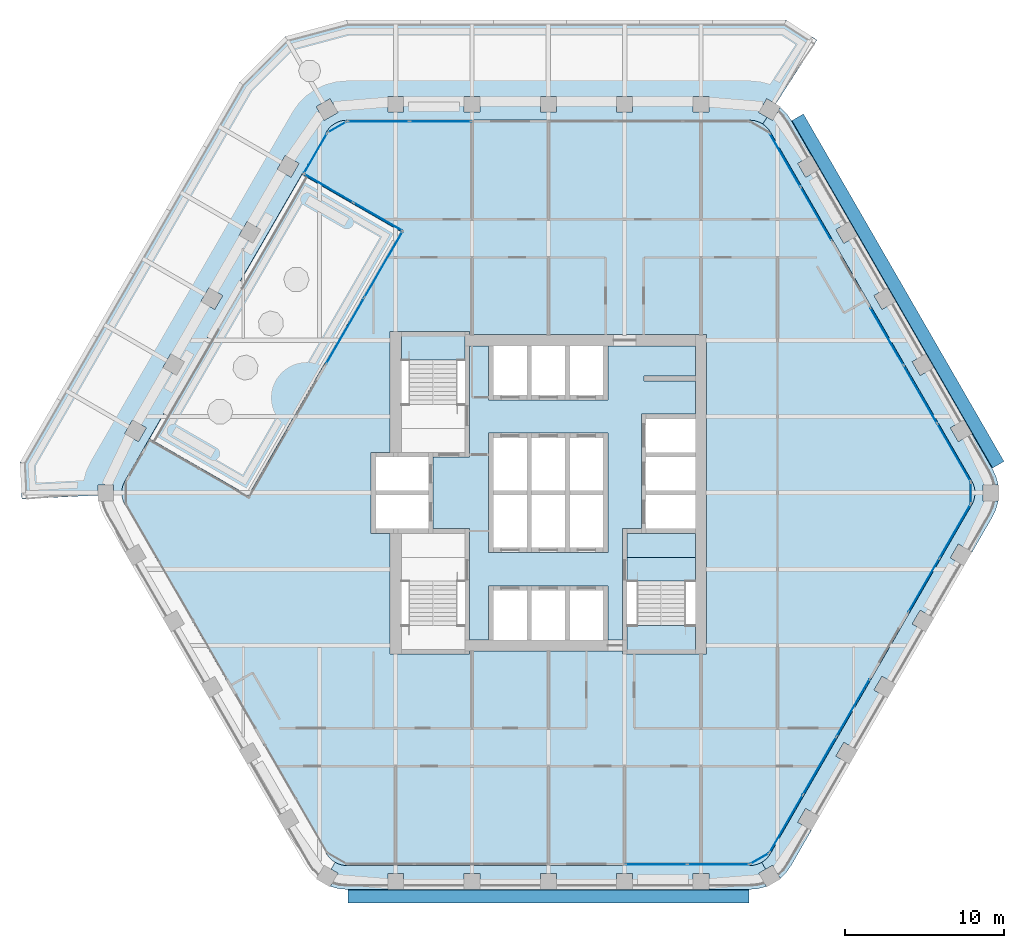
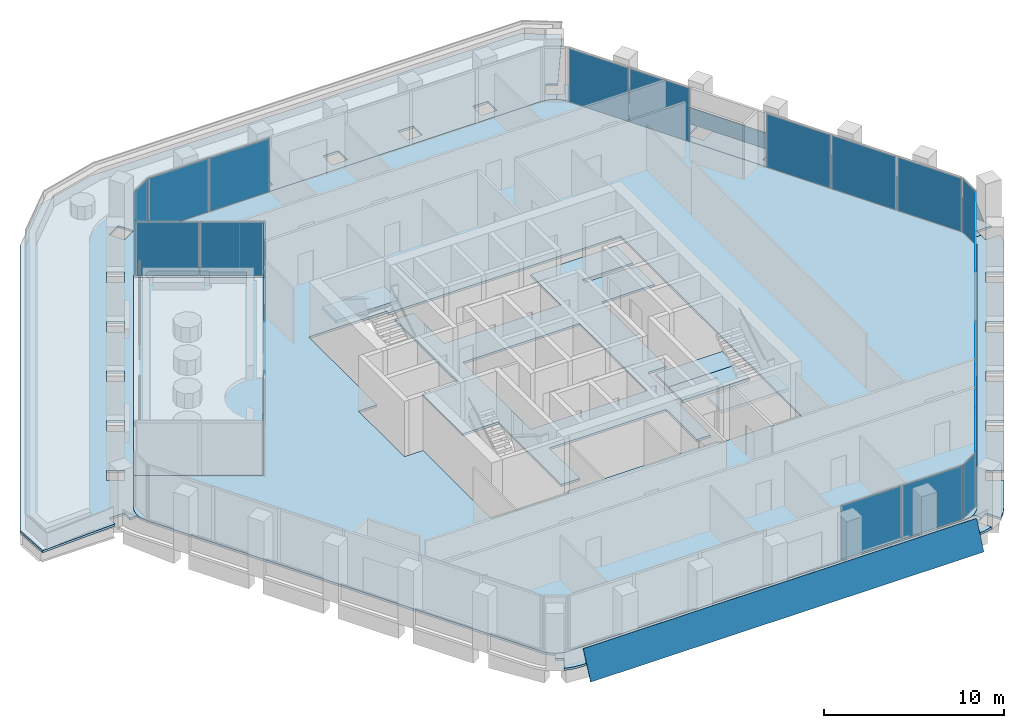
# One storey, part 10 of 18: 24 plates, 11 slabs, 14 elements without a shape of their own.
"""IFC4 building model written with IfcOpenShell, lengths in metres."""

from ifc_helpers import new_model, si_unit, direction, frame, origin, origin_2d, place, context, subcontext, project, spatial, polyline, rectangle, outline, extrude, material, layer, layer_set, type_object, element, aggregate, save


model = new_model("IFC4")

# Units and contexts
model_context = context("Model", 3, precision=1e-05, world=origin(), true_north=direction((0.0, 1.0)))
body_context = subcontext(model_context, "Body", "Model", "MODEL_VIEW")
ifc_project = project(units=[si_unit("LENGTHUNIT", "METRE"), si_unit("AREAUNIT", "SQUARE_METRE"), si_unit("VOLUMEUNIT", "CUBIC_METRE"), si_unit("PLANEANGLEUNIT", "RADIAN"), si_unit("MASSUNIT", "GRAM", prefix="KILO")], contexts=[model_context])

# Site, building, storey
site_placement = place(None, origin())
site = spatial("IfcSite", under=ifc_project, at=site_placement, CompositionType="ELEMENT")
building_placement = place(site_placement, origin())
building = spatial("IfcBuilding", under=site, at=building_placement, Name="Kolab Exchange Tower", CompositionType="ELEMENT")
storey_placement = place(building_placement, frame((0.0, 0.0, 150.5)))
storey = spatial("IfcBuildingStorey", under=building, at=storey_placement, Name="L30", CompositionType="ELEMENT", Elevation=150.5)

# Slabs
ifc_material_1 = material(Name="Concrete C35/45", Category="concrete")
ifc_layer_1 = layer(ifc_material_1, 0.14990234375)
ifc_layer_set_1 = layer_set([ifc_layer_1], Name="Concrete C35/45")
slab_type_1 = type_object("IfcSlabType", Name="FLOOR SLAB 150", PredefinedType="FLOOR", material=ifc_layer_set_1)
slab_1_placement = place(storey_placement, frame((0.0, 0.0, -0.14990234375)))
element("IfcSlab", 1, at=slab_1_placement, inside=storey, type_object=slab_type_1, Name="slab/L30/floor/0", PredefinedType="FLOOR", context=body_context, shape_type="SweptSolid", body=[
    extrude(outline(polyline([(-13.967041015625, 22.691650390625), (-15.5009765625, 20.03466796875), (-9.265625, 16.4345703125), (-18.865478515625, -0.193115234375), (-25.10107421875, 3.406982421875), (-26.635009765625, 0.75), (-26.745361328125, 0.512939453125), (-26.81298828125, 0.260498046875), (-26.8359375, 0.0), (-26.81298828125, -0.260498046875), (-26.745361328125, -0.512939453125), (-26.635009765625, -0.75), (-13.967041015625, -22.691650390625), (-13.81689453125, -22.90576171875), (-13.632080078125, -23.090576171875), (-13.41796875, -23.240478515625), (-13.180908203125, -23.35107421875), (-12.928466796875, -23.418701171875), (-12.66796875, -23.441650390625), (12.66796875, -23.441650390625), (12.928466796875, -23.418701171875), (13.180908203125, -23.35107421875), (13.41796875, -23.240478515625), (13.632080078125, -23.090576171875), (13.81689453125, -22.90576171875), (13.967041015625, -22.691650390625), (26.635009765625, -0.75), (26.745361328125, -0.512939453125), (26.81298828125, -0.260498046875), (26.8359375, 0.0), (26.81298828125, 0.260498046875), (26.745361328125, 0.512939453125), (26.635009765625, 0.75), (13.967041015625, 22.691650390625), (13.81689453125, 22.90576171875), (13.632080078125, 23.090576171875), (13.41796875, 23.240478515625), (13.180908203125, 23.35107421875), (12.928466796875, 23.418701171875), (12.66796875, 23.441650390625), (-12.66796875, 23.441650390625), (-12.928466796875, 23.418701171875), (-13.180908203125, 23.35107421875), (-13.41796875, 23.240478515625), (-13.632080078125, 23.090576171875), (-13.81689453125, 22.90576171875), (-13.967041015625, 22.691650390625)]), holes=[polyline([(-9.25, -10.14990234375), (-9.949951171875, -10.14990234375), (-9.949951171875, -2.550048828125), (-10.85009765625, -2.550048828125), (-11.14990234375, -2.550048828125), (-11.14990234375, 2.550048828125), (-10.85009765625, 2.550048828125), (-9.949951171875, 2.550048828125), (-9.949951171875, 10.14990234375), (-9.25, 10.14990234375), (-5.25, 10.14990234375), (-4.949951171875, 10.14990234375), (-4.949951171875, 9.949951171875), (9.25, 9.949951171875), (9.949951171875, 9.949951171875), (9.949951171875, -10.14990234375), (9.25, -10.14990234375), (4.949951171875, -10.14990234375), (4.64990234375, -10.14990234375), (4.64990234375, -9.949951171875), (-4.949951171875, -9.949951171875), (-4.949951171875, -10.14990234375), (-5.25, -10.14990234375), (-9.25, -10.14990234375)])]), origin(), (0.0, 0.0, 1.0), 0.14990234375),
])
slab_2_placement = place(storey_placement, frame((0.0, 0.0, -0.14990234375)))
element("IfcSlab", 2, at=slab_2_placement, inside=storey, type_object=slab_type_1, Name="slab/L30/floor/1", PredefinedType="FLOOR", context=body_context, shape_type="SweptSolid", body=[
    extrude(outline(polyline([(-4.949951171875, 9.25), (-4.949951171875, 2.25), (-5.25, 2.25), (-7.25, 2.25), (-7.25, -2.25), (-5.25, -2.25), (-4.949951171875, -2.25), (-4.949951171875, -9.25), (-3.75, -9.25), (-3.75, -5.85009765625), (-3.449951171875, -5.85009765625), (-1.35009765625, -5.85009765625), (-1.050048828125, -5.85009765625), (1.050048828125, -5.85009765625), (1.35009765625, -5.85009765625), (3.449951171875, -5.85009765625), (3.75, -5.85009765625), (3.75, -9.25), (4.64990234375, -9.25), (4.64990234375, -2.25), (4.949951171875, -2.25), (5.85009765625, -2.25), (5.85009765625, 4.949951171875), (6.14990234375, 4.949951171875), (9.25, 4.949951171875), (9.25, 7.050048828125), (6.0, 7.050048828125), (6.0, 7.35009765625), (9.25, 7.35009765625), (9.25, 9.25), (3.75, 9.25), (3.75, 5.85009765625), (3.449951171875, 5.85009765625), (1.35009765625, 5.85009765625), (1.050048828125, 5.85009765625), (-1.050048828125, 5.85009765625), (-1.35009765625, 5.85009765625), (-3.449951171875, 5.85009765625), (-3.75, 5.85009765625), (-3.75, 9.25), (-4.949951171875, 9.25)]), holes=[polyline([(-3.449951171875, -3.75), (-3.75, -3.75), (-3.75, 3.75), (-3.449951171875, 3.75), (-1.35009765625, 3.75), (-1.050048828125, 3.75), (1.050048828125, 3.75), (1.35009765625, 3.75), (3.449951171875, 3.75), (3.75, 3.75), (3.75, -3.75), (3.449951171875, -3.75), (1.35009765625, -3.75), (1.050048828125, -3.75), (-1.050048828125, -3.75), (-1.35009765625, -3.75), (-3.449951171875, -3.75)])]), origin(), (0.0, 0.0, 1.0), 0.14990234375),
])
slab_3_placement = place(storey_placement, frame((0.0, 0.0, -0.14990234375)))
element("IfcSlab", 3, at=slab_3_placement, inside=storey, type_object=slab_type_1, Name="slab/L30/floor/2", PredefinedType="FLOOR", context=body_context, shape_type="SweptSolid", body=[
    extrude(outline(polyline([(4.949951171875, -4.050048828125), (9.25, -4.050048828125), (9.25, -2.550048828125), (6.14990234375, -2.550048828125), (5.85009765625, -2.550048828125), (4.949951171875, -2.550048828125), (4.949951171875, -4.050048828125)])), origin(), (0.0, 0.0, 1.0), 0.14990234375),
])
ifc_layer_2 = layer(ifc_material_1, 0.14990234375)
ifc_layer_set_2 = layer_set([ifc_layer_2], Name="Concrete C35/45")
slab_type_2 = type_object("IfcSlabType", Name="LOGGIA SLAB 150", PredefinedType="FLOOR", material=ifc_layer_set_2)
slab_4_placement = place(storey_placement, frame((0.0, 0.0, -0.14990234375)))
element("IfcSlab", 4, at=slab_4_placement, inside=storey, type_object=slab_type_2, Name="slab/L30/loggia/1-0", PredefinedType="FLOOR", context=body_context, shape_type="SweptSolid", body=[
    extrude(outline(polyline([(26.81298828125, 0.260498046875), (26.8359375, 0.0), (27.3359375, 0.0), (27.3359375, 0.5), (28.292236328125, 0.5), (28.290283203125, 0.52099609375), (28.155029296875, 1.026123046875), (27.93408203125, 1.5), (26.64990234375, 3.723876953125), (25.783935546875, 3.223876953125), (25.283935546875, 4.08984375), (26.14990234375, 4.58984375), (24.25, 7.880859375), (23.384033203125, 7.380859375), (22.884033203125, 8.246826171875), (23.75, 8.746826171875), (21.85009765625, 12.037841796875), (20.98388671875, 11.537841796875), (20.48388671875, 12.40380859375), (21.35009765625, 12.90380859375), (19.449951171875, 16.194580078125), (18.583984375, 15.694580078125), (18.083984375, 16.560791015625), (18.949951171875, 17.060791015625), (17.050048828125, 20.3515625), (16.18408203125, 19.8515625), (15.68408203125, 20.717529296875), (16.550048828125, 21.217529296875), (15.26611328125, 23.441650390625), (14.966064453125, 23.869873046875), (14.59619140625, 24.23974609375), (14.5791015625, 24.251708984375), (14.10107421875, 23.423583984375), (13.75537109375, 23.623046875), (13.480224609375, 23.197021484375), (13.632080078125, 23.090576171875), (13.81689453125, 22.90576171875), (13.967041015625, 22.691650390625), (26.635009765625, 0.75), (26.745361328125, 0.512939453125), (26.81298828125, 0.260498046875)])), origin(), (0.0, 0.0, 1.0), 0.14990234375),
])
slab_5_placement = place(storey_placement, frame((0.0, 0.0, -0.14990234375)))
element("IfcSlab", 5, at=slab_5_placement, inside=storey, type_object=slab_type_2, Name="slab/L30/loggia/2-0", PredefinedType="FLOOR", context=body_context, shape_type="SweptSolid", body=[
    extrude(outline(polyline([(14.966064453125, -23.869873046875), (15.26611328125, -23.441650390625), (16.550048828125, -21.217529296875), (15.68408203125, -20.717529296875), (16.18408203125, -19.8515625), (17.050048828125, -20.3515625), (18.949951171875, -17.060791015625), (18.083984375, -16.560791015625), (18.583984375, -15.694580078125), (19.449951171875, -16.194580078125), (21.35009765625, -12.90380859375), (20.48388671875, -12.40380859375), (20.98388671875, -11.537841796875), (21.85009765625, -12.037841796875), (23.75, -8.746826171875), (22.884033203125, -8.246826171875), (23.384033203125, -7.380859375), (24.25, -7.880859375), (26.14990234375, -4.58984375), (25.283935546875, -4.08984375), (25.783935546875, -3.223876953125), (26.64990234375, -3.723876953125), (27.93408203125, -1.5), (28.155029296875, -1.026123046875), (28.290283203125, -0.52099609375), (28.292236328125, -0.5), (27.3359375, -0.5), (27.3359375, 0.0), (26.8359375, 0.0), (26.81298828125, -0.260498046875), (26.745361328125, -0.512939453125), (26.635009765625, -0.75), (13.967041015625, -22.691650390625), (13.81689453125, -22.90576171875), (13.632080078125, -23.090576171875), (13.41796875, -23.240478515625), (13.66796875, -23.673583984375), (14.10107421875, -23.423583984375), (14.5791015625, -24.251708984375), (14.59619140625, -24.23974609375), (14.966064453125, -23.869873046875)])), origin(), (0.0, 0.0, 1.0), 0.14990234375),
])
slab_6_placement = place(storey_placement, frame((0.0, 0.0, -0.14990234375)))
element("IfcSlab", 6, at=slab_6_placement, inside=storey, type_object=slab_type_2, Name="slab/L30/loggia/3-0", PredefinedType="FLOOR", context=body_context, shape_type="SweptSolid", body=[
    extrude(outline(polyline([(-13.180908203125, -23.35107421875), (-13.41796875, -23.240478515625), (-13.66796875, -23.673583984375), (-13.23486328125, -23.923583984375), (-13.713134765625, -24.751708984375), (-13.694091796875, -24.760498046875), (-13.18896484375, -24.89599609375), (-12.66796875, -24.941650390625), (-10.10009765625, -24.941650390625), (-10.10009765625, -23.941650390625), (-9.10009765625, -23.941650390625), (-9.10009765625, -24.941650390625), (-5.300048828125, -24.941650390625), (-5.300048828125, -23.941650390625), (-4.300048828125, -23.941650390625), (-4.300048828125, -24.941650390625), (-0.5, -24.941650390625), (-0.5, -23.941650390625), (0.5, -23.941650390625), (0.5, -24.941650390625), (4.300048828125, -24.941650390625), (4.300048828125, -23.941650390625), (5.300048828125, -23.941650390625), (5.300048828125, -24.941650390625), (9.10009765625, -24.941650390625), (9.10009765625, -23.941650390625), (10.10009765625, -23.941650390625), (10.10009765625, -24.941650390625), (12.66796875, -24.941650390625), (13.18896484375, -24.89599609375), (13.694091796875, -24.760498046875), (13.713134765625, -24.751708984375), (13.23486328125, -23.923583984375), (13.66796875, -23.673583984375), (13.41796875, -23.240478515625), (13.180908203125, -23.35107421875), (12.928466796875, -23.418701171875), (12.66796875, -23.441650390625), (-12.66796875, -23.441650390625), (-12.928466796875, -23.418701171875), (-13.180908203125, -23.35107421875)])), origin(), (0.0, 0.0, 1.0), 0.14990234375),
])

# Plates
ifc_material_2 = material(Name="Laminated glass, clear", Category="glass")
ifc_layer_3 = layer(ifc_material_2, 0.0400390625)
ifc_layer_set_3 = layer_set([ifc_layer_3], Name="Laminated glass, clear")
plate_type_1 = type_object("IfcPlateType", Name="OUTER SKIN LAMINATED GLASS SHEET 40", PredefinedType="SHEET", material=ifc_layer_set_3)
plate_1_placement = place(storey_placement, frame((16.040283203125, 23.830810546875, -0.68310546875), z_axis=(0.784898656704, 0.453161865271, 0.422585402693), x_axis=(0.499999968995, -0.866025421685, 9.26315e-07)))
element("IfcPlate", 7, at=plate_1_placement, inside=storey, type_object=plate_type_1, Name="Outer skin", PredefinedType="SHEET", context=body_context, shape_type="SweptSolid", body=[
    extrude(outline(polyline([(0.0, 0.0), (25.23592824607872, 0.0), (25.235843279343595, -1.9612922777250177), (0.00012646525258337368, -1.961343862676479), (0.0, 0.0)])), origin(), (0.0, 0.0, -1.0), 0.0400390625),
])
plate_2_placement = place(storey_placement, frame((12.617919921875, -25.806640625, -0.68310546875), z_axis=(0.0, -0.906316657655, 0.422599238118), x_axis=(-1.0, 0.0, 0.0)))
element("IfcPlate", 8, at=plate_2_placement, inside=storey, type_object=plate_type_1, Name="Outer skin", PredefinedType="SHEET", context=body_context, shape_type="SweptSolid", body=[
    extrude(outline(polyline([(0.0, 0.0), (25.23583984375, 0.0), (25.23583984375, -1.961332030711248), (0.0, -1.961332030711248), (0.0, 0.0)])), origin(), (0.0, 0.0, -1.0), 0.0400390625),
])

# Stair, slab
ifc_material_3 = material(Name="Concrete C50/60", Category="concrete")
stair_type_1 = type_object("IfcStairType", Name="STAIR ST1 RISER 177.3", PredefinedType="HALF_TURN_STAIR", material=ifc_material_3)
stair_1_placement = place(storey_placement, origin())
stair_1 = element("IfcStair", 9, at=stair_1_placement, inside=storey, type_object=stair_type_1, Name="Stair 1", PredefinedType="HALF_TURN_STAIR")
ifc_layer_4 = layer(ifc_material_3, 0.199951171875)
ifc_layer_set_4 = layer_set([ifc_layer_4], Name="Concrete C50/60")
slab_type_3 = type_object("IfcSlabType", Name="STAIR LANDING 200", PredefinedType="LANDING", material=ifc_layer_set_4)
slab_7_placement = place(storey_placement, frame((0.0, 0.0, 1.75)))
slab_7 = element("IfcSlab", 10, at=slab_7_placement, type_object=slab_type_3, Name="ST1 landing 2", PredefinedType="LANDING", context=body_context, shape_type="SweptSolid", body=[
    extrude(outline(polyline([(-9.25, 8.35009765625), (-5.25, 8.35009765625), (-5.25, 9.909912109375), (-9.25, 9.909912109375), (-9.25, 8.35009765625)])), origin(), (0.0, 0.0, 1.0), 0.199951171875),
])
aggregate(stair_1, [slab_7])

# Stair, slabs
stair_type_2 = type_object("IfcStairType", Name="STAIR ST2 RISER 177.3", PredefinedType="HALF_TURN_STAIR", material=ifc_material_3)
stair_2_placement = place(storey_placement, origin())
stair_2 = element("IfcStair", 11, at=stair_2_placement, inside=storey, type_object=stair_type_2, Name="Stair 2", PredefinedType="HALF_TURN_STAIR")
slab_8_placement = place(storey_placement, frame((0.0, 0.0, -0.199951171875)))
slab_8 = element("IfcSlab", 12, at=slab_8_placement, type_object=slab_type_3, Name="ST2 landing 1", PredefinedType="LANDING", context=body_context, shape_type="SweptSolid", body=[
    extrude(outline(polyline([(4.949951171875, -5.550048828125), (9.25, -5.550048828125), (9.25, -4.050048828125), (4.949951171875, -4.050048828125), (4.949951171875, -5.550048828125)])), origin(), (0.0, 0.0, 1.0), 0.199951171875),
])
slab_9_placement = place(storey_placement, frame((0.0, 0.0, 1.75)))
slab_9 = element("IfcSlab", 13, at=slab_9_placement, type_object=slab_type_3, Name="ST2 landing 2", PredefinedType="LANDING", context=body_context, shape_type="SweptSolid", body=[
    extrude(outline(polyline([(4.949951171875, -9.909912109375), (9.25, -9.909912109375), (9.25, -8.35009765625), (4.949951171875, -8.35009765625), (4.949951171875, -9.909912109375)])), origin(), (0.0, 0.0, 1.0), 0.199951171875),
])
aggregate(stair_2, [slab_8, slab_9])

# Slabs
ifc_layer_5 = layer(ifc_material_1, 0.14990234375)
ifc_layer_set_5 = layer_set([ifc_layer_5], Name="Concrete C35/45")
slab_type_4 = type_object("IfcSlabType", Name="TERRACE SLAB 150 PLANTED", PredefinedType="ROOF", material=ifc_layer_set_5)
slab_10_placement = place(storey_placement, frame((0.0, 0.0, -0.14990234375)))
element("IfcSlab", 14, at=slab_10_placement, inside=storey, type_object=slab_type_4, Name="Roof terrace", PredefinedType="ROOF", context=body_context, shape_type="SweptSolid", body=[
    extrude(outline(polyline([(-25.10107421875, 3.406982421875), (-18.865478515625, -0.193115234375), (-9.265625, 16.4345703125), (-15.5009765625, 20.03466796875), (-25.10107421875, 3.406982421875)])), origin(), (0.0, 0.0, 1.0), 0.14990234375),
])
slab_11_placement = place(storey_placement, frame((0.0, 0.0, -0.14990234375)))
element("IfcSlab", 15, at=slab_11_placement, inside=storey, type_object=slab_type_4, Name="Roof terrace", PredefinedType="ROOF", context=body_context, shape_type="SweptSolid", body=[
    extrude(outline(polyline([(-33.232421875, 1.9228515625), (-33.232421875, 1.922607421875), (-33.11669921875, -0.38916015625), (-33.11669921875, -0.389404296875), (-28.3359375, -0.150146484375), (-28.3359375, 0.5), (-27.3359375, 0.5), (-27.3359375, -0.10009765625), (-26.829345703125, -0.07470703125), (-26.8359375, -0.000244140625), (-26.8359375, 0.0), (-26.8359375, 0.000244140625), (-26.813232421875, 0.26025390625), (-26.81298828125, 0.260498046875), (-26.81298828125, 0.2607421875), (-26.745361328125, 0.512939453125), (-26.745361328125, 0.51318359375), (-26.635009765625, 0.75), (-13.967041015625, 22.69140625), (-13.967041015625, 22.691650390625), (-13.817138671875, 22.905517578125), (-13.81689453125, 22.90576171875), (-13.63232421875, 23.090576171875), (-13.632080078125, 23.090576171875), (-13.632080078125, 23.0908203125), (-13.418212890625, 23.240478515625), (-13.41796875, 23.240478515625), (-13.417724609375, 23.24072265625), (-13.18115234375, 23.35107421875), (-13.180908203125, 23.35107421875), (-12.9287109375, 23.418701171875), (-12.928466796875, 23.418701171875), (-12.92822265625, 23.418701171875), (-12.66796875, 23.44140625), (-12.66796875, 23.441650390625), (12.66796875, 23.441650390625), (12.66796875, 23.44140625), (12.92822265625, 23.418701171875), (12.928466796875, 23.418701171875), (12.9287109375, 23.418701171875), (13.180908203125, 23.35107421875), (13.18115234375, 23.35107421875), (13.417724609375, 23.24072265625), (13.41796875, 23.240478515625), (13.418212890625, 23.240478515625), (13.479248046875, 23.197509765625), (13.4794921875, 23.197509765625), (13.754638671875, 23.62353515625), (13.23486328125, 23.923583984375), (13.73486328125, 24.78955078125), (14.2978515625, 24.464599609375), (16.8955078125, 28.4853515625), (14.951171875, 29.741455078125), (-12.66796875, 29.741455078125), (-16.56787109375, 28.696533203125), (-19.4228515625, 25.841552734375), (-33.232421875, 1.9228515625)]), holes=[polyline([(-25.783935546875, 3.223876953125), (-26.64990234375, 3.723876953125), (-26.14990234375, 4.58984375), (-25.283935546875, 4.08984375), (-25.783935546875, 3.223876953125)]), polyline([(-24.25, 7.880859375), (-23.75, 8.746826171875), (-22.884033203125, 8.246826171875), (-23.384033203125, 7.380859375), (-24.25, 7.880859375)]), polyline([(-21.85009765625, 12.037841796875), (-21.35009765625, 12.90380859375), (-20.48388671875, 12.40380859375), (-20.98388671875, 11.537841796875), (-21.85009765625, 12.037841796875)]), polyline([(-19.449951171875, 16.194580078125), (-18.949951171875, 17.060791015625), (-18.083984375, 16.560791015625), (-18.583984375, 15.694580078125), (-19.449951171875, 16.194580078125)]), polyline([(-17.050048828125, 20.3515625), (-16.550048828125, 21.217529296875), (-15.68408203125, 20.717529296875), (-16.18408203125, 19.8515625), (-17.050048828125, 20.3515625)]), polyline([(-14.60107421875, 24.28955078125), (-13.73486328125, 24.78955078125), (-13.23486328125, 23.923583984375), (-14.10107421875, 23.423583984375), (-14.60107421875, 24.28955078125)]), polyline([(-10.10009765625, 23.941650390625), (-10.10009765625, 24.941650390625), (-9.10009765625, 24.941650390625), (-9.10009765625, 23.941650390625), (-10.10009765625, 23.941650390625)]), polyline([(-5.300048828125, 23.941650390625), (-5.300048828125, 24.941650390625), (-4.300048828125, 24.941650390625), (-4.300048828125, 23.941650390625), (-5.300048828125, 23.941650390625)]), polyline([(-0.5, 24.941650390625), (0.5, 24.941650390625), (0.5, 23.941650390625), (-0.5, 23.941650390625), (-0.5, 24.941650390625)]), polyline([(4.300048828125, 23.941650390625), (4.300048828125, 24.941650390625), (5.300048828125, 24.941650390625), (5.300048828125, 23.941650390625), (4.300048828125, 23.941650390625)]), polyline([(9.10009765625, 24.941650390625), (10.10009765625, 24.941650390625), (10.10009765625, 23.941650390625), (9.10009765625, 23.941650390625), (9.10009765625, 24.941650390625)])]), origin(), (0.0, 0.0, 1.0), 0.14990234375),
])

# Curtain wall, plates
ifc_material_4 = material(Name="Aluminium EN AW-6063 T6", Category="aluminium")
curtain_wall_type = type_object("IfcCurtainWallType", Name="UNITISED UPPER MID ZONE CURTAIN WALL", PredefinedType="NOTDEFINED", material=ifc_material_4)
curtain_wall_1_placement = place(storey_placement, origin())
curtain_wall_1 = element("IfcCurtainWall", 16, at=curtain_wall_1_placement, inside=storey, type_object=curtain_wall_type, Name="cw/L30/F1-1", PredefinedType="NOTDEFINED")
ifc_material_5 = material(Name="Clear insulated glazing unit", Category="glass")
ifc_layer_6 = layer(ifc_material_5, 0.028076171875)
ifc_layer_set_6 = layer_set([ifc_layer_6], Name="Clear insulated glazing unit")
plate_type_2 = type_object("IfcPlateType", Name="UNITISED UPPER MID ZONE GLASS PANEL 28", PredefinedType="CURTAIN_PANEL", material=ifc_layer_set_6)
plate_3_placement = place(storey_placement, frame((-10.68603515625, 23.361572265625, 0.06005859375), z_axis=(0.0, 0.0, 1.0), x_axis=(1.0, 0.0, 0.0)))
plate_3 = element("IfcPlate", 17, at=plate_3_placement, type_object=plate_type_2, Name="CW3 panel 1.1", PredefinedType="CURTAIN_PANEL", context=body_context, shape_type="SweptSolid", body=[
    extrude(rectangle(XDim=3.843994140625, YDim=0.028076171875, at=origin_2d()), origin(), (0.0, 0.0, 1.0), 3.6298828125),
])
plate_4_placement = place(storey_placement, frame((-6.781982421875, 23.361572265625, 0.06005859375), z_axis=(0.0, 0.0, 1.0), x_axis=(1.0, 0.0, 0.0)))
plate_4 = element("IfcPlate", 18, at=plate_4_placement, type_object=plate_type_2, Name="CW3 panel 2.1", PredefinedType="CURTAIN_PANEL", context=body_context, shape_type="SweptSolid", body=[
    extrude(rectangle(XDim=3.843994140625, YDim=0.028076171875, at=origin_2d()), origin(), (0.0, 0.0, 1.0), 3.6298828125),
])
aggregate(curtain_wall_1, [plate_3, plate_4])

curtain_wall_2_placement = place(storey_placement, origin())
curtain_wall_2 = element("IfcCurtainWall", 19, at=curtain_wall_2_placement, inside=storey, type_object=curtain_wall_type, Name="cw/L30/F2-1", PredefinedType="NOTDEFINED")
plate_5_placement = place(storey_placement, frame((14.888671875, 20.93505859375, 0.06005859375), z_axis=(0.0, 0.0, 1.0), x_axis=(0.500000031681, -0.866025385493, 0.0)))
plate_5 = element("IfcPlate", 20, at=plate_5_placement, type_object=plate_type_2, Name="CW3 panel 1.1", PredefinedType="CURTAIN_PANEL", context=body_context, shape_type="SweptSolid", body=[
    extrude(rectangle(XDim=3.843994140625, YDim=0.028076171875, at=origin_2d()), origin(), (0.0, 0.0, 1.0), 3.6298828125),
])
plate_6_placement = place(storey_placement, frame((16.840576171875, 17.55419921875, 0.06005859375), z_axis=(0.0, 0.0, 1.0), x_axis=(0.500000031681, -0.866025385493, 0.0)))
plate_6 = element("IfcPlate", 21, at=plate_6_placement, type_object=plate_type_2, Name="CW3 panel 2.1", PredefinedType="CURTAIN_PANEL", context=body_context, shape_type="SweptSolid", body=[
    extrude(rectangle(XDim=3.843994140625, YDim=0.028076171875, at=origin_2d()), origin(), (0.0, 0.0, 1.0), 3.6298828125),
])
aggregate(curtain_wall_2, [plate_5, plate_6])

curtain_wall_3_placement = place(storey_placement, origin())
curtain_wall_3 = element("IfcCurtainWall", 22, at=curtain_wall_3_placement, inside=storey, type_object=curtain_wall_type, Name="cw/L30/F2-2", PredefinedType="NOTDEFINED")
plate_7_placement = place(storey_placement, frame((21.294921875, 9.83935546875, 0.06005859375), z_axis=(0.0, 0.0, 1.0), x_axis=(0.499999958358, -0.866025427826, 0.0)))
plate_7 = element("IfcPlate", 23, at=plate_7_placement, type_object=plate_type_2, Name="CW3 panel 1.1", PredefinedType="CURTAIN_PANEL", context=body_context, shape_type="SweptSolid", body=[
    extrude(rectangle(XDim=4.132568359375, YDim=0.028076171875, at=origin_2d()), origin(), (0.0, 0.0, 1.0), 3.6298828125),
])
plate_8_placement = place(storey_placement, frame((23.398681640625, 6.1953125, 0.06005859375), z_axis=(0.0, 0.0, 1.0), x_axis=(0.499999958358, -0.866025427826, 0.0)))
plate_8 = element("IfcPlate", 24, at=plate_8_placement, type_object=plate_type_2, Name="CW3 panel 2.1", PredefinedType="CURTAIN_PANEL", context=body_context, shape_type="SweptSolid", body=[
    extrude(rectangle(XDim=4.16259765625, YDim=0.028076171875, at=origin_2d()), origin(), (0.0, 0.0, 1.0), 3.6298828125),
])
plate_9_placement = place(storey_placement, frame((25.50244140625, 2.551513671875, 0.06005859375), z_axis=(0.0, 0.0, 1.0), x_axis=(0.499999958358, -0.866025427826, 0.0)))
plate_9 = element("IfcPlate", 25, at=plate_9_placement, type_object=plate_type_2, Name="CW3 panel 3.1", PredefinedType="CURTAIN_PANEL", context=body_context, shape_type="SweptSolid", body=[
    extrude(rectangle(XDim=4.132568359375, YDim=0.028076171875, at=origin_2d()), origin(), (0.0, 0.0, 1.0), 3.6298828125),
])
aggregate(curtain_wall_3, [plate_7, plate_8, plate_9])

curtain_wall_4_placement = place(storey_placement, origin())
curtain_wall_4 = element("IfcCurtainWall", 26, at=curtain_wall_4_placement, inside=storey, type_object=curtain_wall_type, Name="cw/L30/F3-1", PredefinedType="NOTDEFINED")
plate_10_placement = place(storey_placement, frame((25.57470703125, -2.426513671875, 0.06005859375), z_axis=(0.0, 0.0, 1.0), x_axis=(-0.499999936366, -0.866025440524, 0.0)))
plate_10 = element("IfcPlate", 27, at=plate_10_placement, type_object=plate_type_2, Name="CW3 panel 1.1", PredefinedType="CURTAIN_PANEL", context=body_context, shape_type="SweptSolid", body=[
    extrude(rectangle(XDim=3.843994140625, YDim=0.028076171875, at=origin_2d()), origin(), (0.0, 0.0, 1.0), 3.6298828125),
])
plate_11_placement = place(storey_placement, frame((23.62255859375, -5.807373046875, 0.06005859375), z_axis=(0.0, 0.0, 1.0), x_axis=(-0.499999936366, -0.866025440524, 0.0)))
plate_11 = element("IfcPlate", 28, at=plate_11_placement, type_object=plate_type_2, Name="CW3 panel 2.1", PredefinedType="CURTAIN_PANEL", context=body_context, shape_type="SweptSolid", body=[
    extrude(rectangle(XDim=3.843994140625, YDim=0.028076171875, at=origin_2d()), origin(), (0.0, 0.0, 1.0), 3.6298828125),
])
aggregate(curtain_wall_4, [plate_10, plate_11])

curtain_wall_5_placement = place(storey_placement, origin())
curtain_wall_5 = element("IfcCurtainWall", 29, at=curtain_wall_5_placement, inside=storey, type_object=curtain_wall_type, Name="cw/L30/F3-2", PredefinedType="NOTDEFINED")
plate_12_placement = place(storey_placement, frame((19.16845703125, -13.522216796875, 0.06005859375), z_axis=(0.0, 0.0, 1.0), x_axis=(-0.500000017564, -0.866025393644, 0.0)))
plate_12 = element("IfcPlate", 30, at=plate_12_placement, type_object=plate_type_2, Name="CW3 panel 1.1", PredefinedType="CURTAIN_PANEL", context=body_context, shape_type="SweptSolid", body=[
    extrude(rectangle(XDim=4.132568359375, YDim=0.028076171875, at=origin_2d()), origin(), (0.0, 0.0, 1.0), 3.6298828125),
])
plate_13_placement = place(storey_placement, frame((17.064697265625, -17.166259765625, 0.06005859375), z_axis=(0.0, 0.0, 1.0), x_axis=(-0.500000017564, -0.866025393644, 0.0)))
plate_13 = element("IfcPlate", 31, at=plate_13_placement, type_object=plate_type_2, Name="CW3 panel 2.1", PredefinedType="CURTAIN_PANEL", context=body_context, shape_type="SweptSolid", body=[
    extrude(rectangle(XDim=4.16259765625, YDim=0.028076171875, at=origin_2d()), origin(), (0.0, 0.0, 1.0), 3.6298828125),
])
plate_14_placement = place(storey_placement, frame((14.9609375, -20.81005859375, 0.06005859375), z_axis=(0.0, 0.0, 1.0), x_axis=(-0.500000017564, -0.866025393644, 0.0)))
plate_14 = element("IfcPlate", 32, at=plate_14_placement, type_object=plate_type_2, Name="CW3 panel 3.1", PredefinedType="CURTAIN_PANEL", context=body_context, shape_type="SweptSolid", body=[
    extrude(rectangle(XDim=4.132568359375, YDim=0.028076171875, at=origin_2d()), origin(), (0.0, 0.0, 1.0), 3.6298828125),
])
aggregate(curtain_wall_5, [plate_12, plate_13, plate_14])

curtain_wall_6_placement = place(storey_placement, origin())
curtain_wall_6 = element("IfcCurtainWall", 33, at=curtain_wall_6_placement, inside=storey, type_object=curtain_wall_type, Name="cw/L30/F4-1", PredefinedType="NOTDEFINED")
plate_15_placement = place(storey_placement, frame((10.68603515625, -23.361572265625, 0.06005859375), z_axis=(0.0, 0.0, 1.0), x_axis=(-1.0, 0.0, 0.0)))
plate_15 = element("IfcPlate", 34, at=plate_15_placement, type_object=plate_type_2, Name="CW3 panel 1.1", PredefinedType="CURTAIN_PANEL", context=body_context, shape_type="SweptSolid", body=[
    extrude(rectangle(XDim=3.843994140625, YDim=0.028076171875, at=origin_2d()), origin(), (0.0, 0.0, 1.0), 3.6298828125),
])
plate_16_placement = place(storey_placement, frame((6.781982421875, -23.361572265625, 0.06005859375), z_axis=(0.0, 0.0, 1.0), x_axis=(-1.0, 0.0, 0.0)))
plate_16 = element("IfcPlate", 35, at=plate_16_placement, type_object=plate_type_2, Name="CW3 panel 2.1", PredefinedType="CURTAIN_PANEL", context=body_context, shape_type="SweptSolid", body=[
    extrude(rectangle(XDim=3.843994140625, YDim=0.028076171875, at=origin_2d()), origin(), (0.0, 0.0, 1.0), 3.6298828125),
])
aggregate(curtain_wall_6, [plate_15, plate_16])

curtain_wall_7_placement = place(storey_placement, origin())
curtain_wall_7 = element("IfcCurtainWall", 36, at=curtain_wall_7_placement, inside=storey, type_object=curtain_wall_type, Name="cw/L30/F6-back-2", PredefinedType="NOTDEFINED")
plate_17_placement = place(storey_placement, frame((-12.77880859375, 10.189453125, 0.06005859375), z_axis=(0.0, 0.0, 1.0), x_axis=(0.499999995919, 0.866025406141, 0.0)))
plate_17 = element("IfcPlate", 37, at=plate_17_placement, type_object=plate_type_2, Name="CW3 panel 1.1", PredefinedType="CURTAIN_PANEL", context=body_context, shape_type="SweptSolid", body=[
    extrude(rectangle(XDim=4.75, YDim=0.028076171875, at=origin_2d()), origin(), (0.0, 0.0, 1.0), 3.6298828125),
])
plate_18_placement = place(storey_placement, frame((-10.373779296875, 14.355224609375, 0.06005859375), z_axis=(0.0, 0.0, 1.0), x_axis=(0.499999995919, 0.866025406141, 0.0)))
plate_18 = element("IfcPlate", 38, at=plate_18_placement, type_object=plate_type_2, Name="CW3 panel 2.1", PredefinedType="CURTAIN_PANEL", context=body_context, shape_type="SweptSolid", body=[
    extrude(rectangle(XDim=4.75, YDim=0.028076171875, at=origin_2d()), origin(), (0.0, 0.0, 1.0), 3.6298828125),
])
aggregate(curtain_wall_7, [plate_17, plate_18])

curtain_wall_8_placement = place(storey_placement, origin())
curtain_wall_8 = element("IfcCurtainWall", 39, at=curtain_wall_8_placement, inside=storey, type_object=curtain_wall_type, Name="cw/L30/F6-rr-1", PredefinedType="NOTDEFINED")
plate_19_placement = place(storey_placement, frame((-10.72802734375, 17.371337890625, 0.06005859375), z_axis=(0.0, 0.0, 1.0), x_axis=(-0.866025407005, 0.499999994423, 0.0)))
plate_19 = element("IfcPlate", 40, at=plate_19_placement, type_object=plate_type_2, Name="CW3 panel 1.1", PredefinedType="CURTAIN_PANEL", context=body_context, shape_type="SweptSolid", body=[
    extrude(rectangle(XDim=3.510009765625, YDim=0.028076171875, at=origin_2d()), origin(), (0.0, 0.0, 1.0), 3.6298828125),
])
plate_20_placement = place(storey_placement, frame((-13.81982421875, 19.156494140625, 0.06005859375), z_axis=(0.0, 0.0, 1.0), x_axis=(-0.866025407005, 0.499999994423, 0.0)))
plate_20 = element("IfcPlate", 41, at=plate_20_placement, type_object=plate_type_2, Name="CW3 panel 2.1", PredefinedType="CURTAIN_PANEL", context=body_context, shape_type="SweptSolid", body=[
    extrude(rectangle(XDim=3.510009765625, YDim=0.028076171875, at=origin_2d()), origin(), (0.0, 0.0, 1.0), 3.6298828125),
])
aggregate(curtain_wall_8, [plate_19, plate_20])

# Curtain wall, plate
curtain_wall_9_placement = place(storey_placement, origin())
curtain_wall_9 = element("IfcCurtainWall", 42, at=curtain_wall_9_placement, inside=storey, type_object=curtain_wall_type, Name="cw/L30/F6-r-1", PredefinedType="NOTDEFINED")
plate_21_placement = place(storey_placement, frame((-14.644775390625, 21.357666015625, 0.06005859375), z_axis=(0.0, 0.0, 1.0), x_axis=(0.500000087712, 0.866025353144, 0.0)))
plate_21 = element("IfcPlate", 43, at=plate_21_placement, type_object=plate_type_2, Name="CW3 panel 1.1", PredefinedType="CURTAIN_PANEL", context=body_context, shape_type="SweptSolid", body=[
    extrude(rectangle(XDim=2.867919921875, YDim=0.028076171875, at=origin_2d()), origin(), (0.0, 0.0, 1.0), 3.6298828125),
])
aggregate(curtain_wall_9, [plate_21])

curtain_wall_10_placement = place(storey_placement, origin())
curtain_wall_10 = element("IfcCurtainWall", 44, at=curtain_wall_10_placement, inside=storey, type_object=curtain_wall_type, Name="cw/L30/F2F3-corner", PredefinedType="NOTDEFINED")
plate_22_placement = place(storey_placement, frame((26.565673828125, 0.0, 0.06005859375), z_axis=(0.0, 0.0, 1.0), x_axis=(0.0, -1.0, 0.0)))
plate_22 = element("IfcPlate", 45, at=plate_22_placement, type_object=plate_type_2, Name="CW3 panel 1.1", PredefinedType="CURTAIN_PANEL", context=body_context, shape_type="SweptSolid", body=[
    extrude(rectangle(XDim=1.300048828125, YDim=0.028076171875, at=origin_2d()), origin(), (0.0, 0.0, 1.0), 3.6298828125),
])
aggregate(curtain_wall_10, [plate_22])

curtain_wall_11_placement = place(storey_placement, origin())
curtain_wall_11 = element("IfcCurtainWall", 46, at=curtain_wall_11_placement, inside=storey, type_object=curtain_wall_type, Name="cw/L30/F3F4-corner", PredefinedType="NOTDEFINED")
plate_23_placement = place(storey_placement, frame((13.28271484375, -23.006591796875, 0.06005859375), z_axis=(0.0, 0.0, 1.0), x_axis=(-0.866025390869, -0.50000002237, 0.0)))
plate_23 = element("IfcPlate", 47, at=plate_23_placement, type_object=plate_type_2, Name="CW3 panel 1.1", PredefinedType="CURTAIN_PANEL", context=body_context, shape_type="SweptSolid", body=[
    extrude(rectangle(XDim=1.300048828125, YDim=0.028076171875, at=origin_2d()), origin(), (0.0, 0.0, 1.0), 3.6298828125),
])
aggregate(curtain_wall_11, [plate_23])

curtain_wall_12_placement = place(storey_placement, origin())
curtain_wall_12 = element("IfcCurtainWall", 48, at=curtain_wall_12_placement, inside=storey, type_object=curtain_wall_type, Name="cw/L30/F6F1-corner", PredefinedType="NOTDEFINED")
plate_24_placement = place(storey_placement, frame((-13.28271484375, 23.006591796875, 0.06005859375), z_axis=(0.0, 0.0, 1.0), x_axis=(0.866025390869, 0.50000002237, 0.0)))
plate_24 = element("IfcPlate", 49, at=plate_24_placement, type_object=plate_type_2, Name="CW3 panel 1.1", PredefinedType="CURTAIN_PANEL", context=body_context, shape_type="SweptSolid", body=[
    extrude(rectangle(XDim=1.300048828125, YDim=0.028076171875, at=origin_2d()), origin(), (0.0, 0.0, 1.0), 3.6298828125),
])
aggregate(curtain_wall_12, [plate_24])

save(model, "model.ifc")
